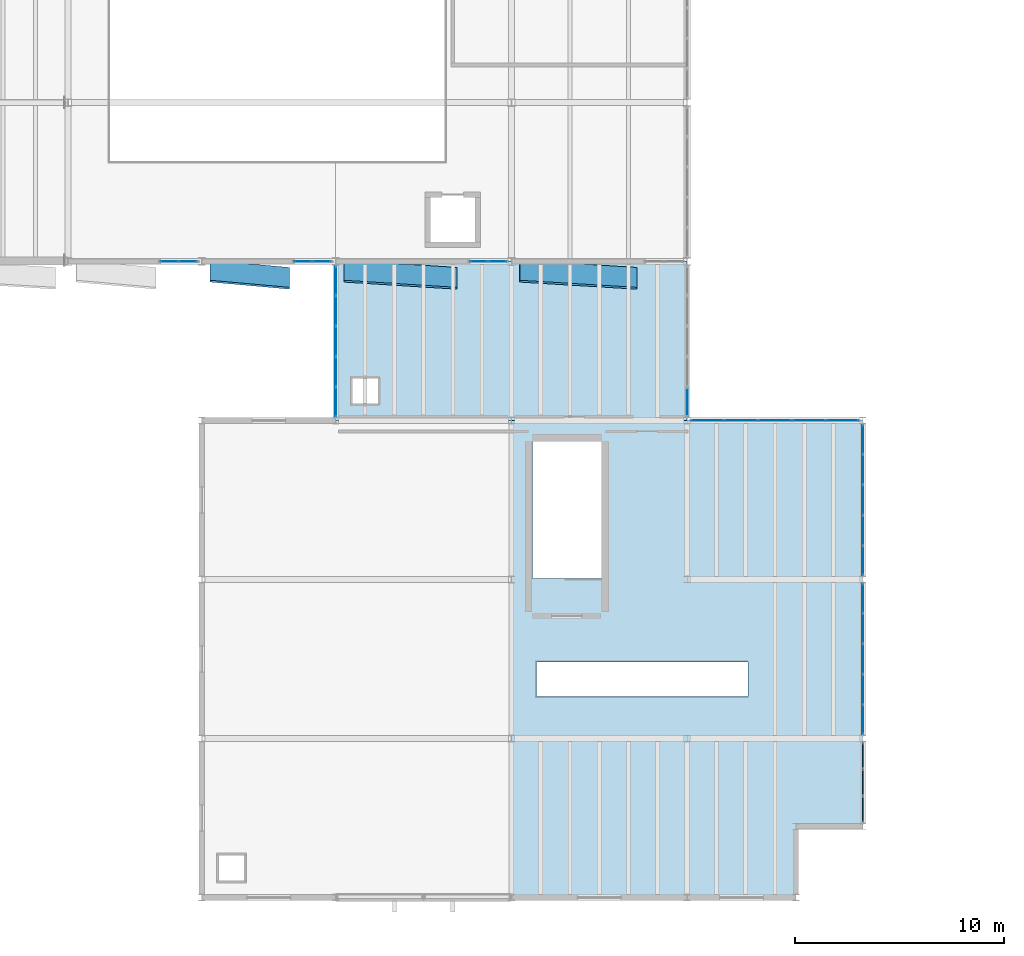
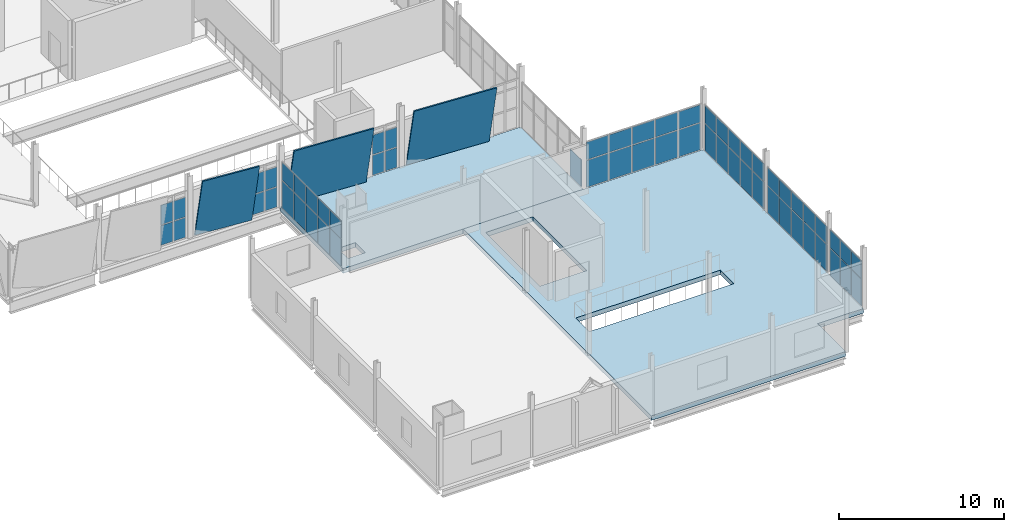
# One storey, part 97 of 136: 62 plates, 2 slabs, 9 elements without a shape of their own.
"""IFC4 building model written with IfcOpenShell, lengths in metres."""

import ifcopenshell
import ifcopenshell.guid

model = None  # the IFC model being written
_history = None  # IfcOwnerHistory: only IFC2X3 demands one
_inside = {}  # id of a spatial element -> (the spatial element, [elements in it])
_under = {}  # id of a project, library or spatial element -> (it, [spatial elements below it])
_declared = {}  # id of a project -> (the project, [libraries it declares])
_typed = {}  # id of a type object -> (the type object, [elements of that type])
_made_of = {}  # id of a material, layer set ... -> (it, [elements and type objects made of it])


def new_model(schema):
    """Start an empty IFC model of exactly this schema.

    Asked for "IFC4X3", IfcOpenShell would pick the latest addendum, in which some entities
    have other attributes; the version numbers below select the first issue.
    IFC2X3 requires an IfcOwnerHistory on every rooted entity: one is made here for all.
    """
    global model, _history
    if schema == "IFC4X3":
        model = ifcopenshell.file(schema_version=(4, 3, 0, 0))
    else:
        model = ifcopenshell.file(schema=schema)
    _inside.clear()
    _under.clear()
    _declared.clear()
    _typed.clear()
    _made_of.clear()
    _history = None
    if model.schema == "IFC2X3":
        org = make("IfcOrganization", Name="unknown")
        user = make(
            "IfcPersonAndOrganization",
            ThePerson=make("IfcPerson", FamilyName="unknown"),
            TheOrganization=org,
        )
        app = make(
            "IfcApplication",
            ApplicationDeveloper=org,
            Version="unknown",
            ApplicationFullName="unknown",
            ApplicationIdentifier="unknown",
        )
        _history = make(
            "IfcOwnerHistory",
            OwningUser=user,
            OwningApplication=app,
            ChangeAction="ADDED",
            CreationDate=0,
        )
    return model


def make(cls, **values):
    """One entity of the class cls with the attributes given. An attribute that is None is left unset."""
    return model.create_entity(
        cls, **{name: value for name, value in values.items() if value is not None}
    )


def rooted(cls, **values):
    """An entity with a GlobalId (a new one), such as an element, a storey or a relation."""
    return make(cls, GlobalId=ifcopenshell.guid.new(), OwnerHistory=_history, **values)


def si_unit(unit_type, name, prefix=None):
    """IfcSIUnit, for example si_unit("LENGTHUNIT", "METRE", prefix="MILLI")."""
    return make("IfcSIUnit", UnitType=unit_type, Prefix=prefix, Name=name)


def assignment(units):
    """IfcUnitAssignment: the units of a project."""
    return None if units is None else make("IfcUnitAssignment", Units=units)


def point(xyz):
    """IfcCartesianPoint."""
    return None if xyz is None else make("IfcCartesianPoint", Coordinates=xyz)


def direction(xyz):
    """IfcDirection."""
    return None if xyz is None else make("IfcDirection", DirectionRatios=xyz)


def frame(location, z_axis=None, x_axis=None):
    """IfcAxis2Placement3D, a coordinate frame: its origin and axes. An axis left out is left unset."""
    return make(
        "IfcAxis2Placement3D",
        Location=point(location),
        Axis=direction(z_axis),
        RefDirection=direction(x_axis),
    )


def frame_2d(location, x_axis=None):
    """IfcAxis2Placement2D, a coordinate frame in the plane: its origin and x axis."""
    return make(
        "IfcAxis2Placement2D", Location=point(location), RefDirection=direction(x_axis)
    )


def origin():
    """The frame at (0, 0, 0) with its axes left unset."""
    return frame((0.0, 0.0, 0.0))


def origin_2d():
    """The frame at (0, 0) in the plane with its x axis left unset."""
    return frame_2d((0.0, 0.0))


def place(relative_to, where):
    """IfcLocalPlacement: puts the frame where relative to a parent placement (None: the world)."""
    return make(
        "IfcLocalPlacement", PlacementRelTo=relative_to, RelativePlacement=where
    )


def context(
    kind, dimensions, precision=None, world=None, true_north=None, identifier=None
):
    """IfcGeometricRepresentationContext, for example the 3D "Model" context."""
    return make(
        "IfcGeometricRepresentationContext",
        ContextIdentifier=identifier,
        ContextType=kind,
        CoordinateSpaceDimension=dimensions,
        Precision=precision,
        WorldCoordinateSystem=world,
        TrueNorth=true_north,
    )


def subcontext(parent, identifier, kind, view, scale=None):
    """IfcGeometricRepresentationSubContext, for example "Body" below "Model"."""
    return make(
        "IfcGeometricRepresentationSubContext",
        ContextIdentifier=identifier,
        ContextType=kind,
        ParentContext=parent,
        TargetScale=scale,
        TargetView=view,
    )


def project(units=None, contexts=None):
    """IfcProject with its units and contexts."""
    return rooted(
        "IfcProject",
        Name="project",
        RepresentationContexts=contexts,
        UnitsInContext=assignment(units),
    )


def spatial(cls, under=None, at=None, **own):
    """A site, building, storey or space (cls), placed at a placement, below another one or the project."""
    s = rooted(cls, ObjectPlacement=at, **own)
    if under is not None:
        _under.setdefault(under.id(), (under, []))[1].append(s)
    return s


def polyline(points):
    """IfcPolyline through the points."""
    return make("IfcPolyline", Points=[point(p) for p in points])


def profile(cls, at=None, kind="AREA", **sizes):
    """A parametric profile (cls). Its sizes go by their IFC names, for example OverallWidth=200.0."""
    return make(cls, ProfileType=kind, Position=at, **sizes)


def rectangle(**sizes):
    """IfcRectangleProfileDef."""
    return profile("IfcRectangleProfileDef", **sizes)


def outline(outer, holes=None, kind="AREA"):
    """IfcArbitraryClosedProfileDef: a profile drawn as a closed curve; with holes, ...WithVoids."""
    if holes is None:
        return make("IfcArbitraryClosedProfileDef", ProfileType=kind, OuterCurve=outer)
    return make(
        "IfcArbitraryProfileDefWithVoids",
        ProfileType=kind,
        OuterCurve=outer,
        InnerCurves=holes,
    )


def extrude(swept, where, along, depth):
    """IfcExtrudedAreaSolid: the profile swept, set in the frame where, extruded along a direction by depth."""
    return make(
        "IfcExtrudedAreaSolid",
        SweptArea=swept,
        Position=where,
        ExtrudedDirection=direction(along),
        Depth=depth,
    )


def shape(context_of_items, identifier, shape_type, items):
    """IfcShapeRepresentation: the items that make up one representation, for example the "Body"."""
    return make(
        "IfcShapeRepresentation",
        ContextOfItems=context_of_items,
        RepresentationIdentifier=identifier,
        RepresentationType=shape_type,
        Items=items,
    )


def material(Name=None, Category=None):
    """IfcMaterial."""
    return make("IfcMaterial", Name=Name, Category=Category)


def layer(
    of_material, thickness, ventilated=None, Name=None, Category=None, Priority=None
):
    """IfcMaterialLayer: one layer of a wall or slab, of a material (None: an air gap)."""
    return make(
        "IfcMaterialLayer",
        Material=of_material,
        LayerThickness=thickness,
        IsVentilated=ventilated,
        Name=Name,
        Category=Category,
        Priority=Priority,
    )


def layer_set(layers, Name=None):
    """IfcMaterialLayerSet."""
    return make("IfcMaterialLayerSet", MaterialLayers=layers, LayerSetName=Name)


def made_of(thing, what):
    """Note that an element or type object is made of a material, layer set ...; save() writes the relation."""
    if what is not None:
        _made_of.setdefault(what.id(), (what, []))[1].append(thing)
    return thing


def type_object(cls, material=None, **own):
    """A type object (cls), such as IfcWallType, which elements share."""
    return made_of(rooted(cls, **own), material)


def element(
    cls,
    number,
    at=None,
    inside=None,
    cuts=None,
    type_object=None,
    material=None,
    context=None,
    identifier="Body",
    shape_type=None,
    held_by="IfcProductDefinitionShape",
    body=None,
    shapes=None,
    **own,
):
    """One element of the class cls, such as IfcWall. Its Tag is "e" and its number.

    at: its placement. inside: the storey or other place that contains it. cuts: it is an
    opening in that element (IfcRelVoidsElement). A single representation is given by context,
    identifier, shape_type and body (its items); several are given by shapes. held_by: the class
    of the entity that holds the representations. save() writes the other relations.
    """
    e = rooted(cls, Tag="e%d" % number, ObjectPlacement=at, **own)
    if body is not None:
        shapes = [shape(context, identifier, shape_type, body)]
    if shapes is not None:
        e.Representation = make(held_by, Representations=shapes)
    if inside is not None:
        _inside.setdefault(inside.id(), (inside, []))[1].append(e)
    if cuts is not None:
        rooted(
            "IfcRelVoidsElement", RelatingBuildingElement=cuts, RelatedOpeningElement=e
        )
    if type_object is not None:
        _typed.setdefault(type_object.id(), (type_object, []))[1].append(e)
    return made_of(e, material)


def aggregate(whole, parts):
    """IfcRelAggregates: a whole, such as a stair, and the parts it consists of."""
    return rooted("IfcRelAggregates", RelatingObject=whole, RelatedObjects=parts)


def save(model, path):
    """Write the relations noted so far, then the file.

    IfcRelAggregates (storeys below a building ...), IfcRelContainedInSpatialStructure (elements
    in a storey), IfcRelDefinesByType, IfcRelAssociatesMaterial and IfcRelDeclares: one each for
    every whole, place, type object, material and project.
    """
    for whole, parts in _under.values():
        aggregate(whole, parts)
    for where, things in _inside.values():
        rooted(
            "IfcRelContainedInSpatialStructure",
            RelatedElements=things,
            RelatingStructure=where,
        )
    for kind, things in _typed.values():
        rooted("IfcRelDefinesByType", RelatedObjects=things, RelatingType=kind)
    for what, things in _made_of.values():
        rooted("IfcRelAssociatesMaterial", RelatedObjects=things, RelatingMaterial=what)
    for by, libraries in _declared.values():
        rooted("IfcRelDeclares", RelatingContext=by, RelatedDefinitions=libraries)
    model.write(path)


model = new_model("IFC4")

# Units and contexts
model_context = context("Model", 3, precision=1e-05, world=origin(), true_north=direction((0.0, 1.0)))
body_context = subcontext(model_context, "Body", "Model", "MODEL_VIEW")
ifc_project = project(units=[si_unit("LENGTHUNIT", "METRE"), si_unit("AREAUNIT", "SQUARE_METRE"), si_unit("VOLUMEUNIT", "CUBIC_METRE"), si_unit("PLANEANGLEUNIT", "RADIAN"), si_unit("MASSUNIT", "GRAM", prefix="KILO")], contexts=[model_context])

# Site, building, storey
site_placement = place(None, origin())
site = spatial("IfcSite", under=ifc_project, at=site_placement, CompositionType="ELEMENT")
building_placement = place(site_placement, origin())
building = spatial("IfcBuilding", under=site, at=building_placement, Name="Shengluoqiao Park Theatre", CompositionType="ELEMENT")
storey_placement = place(building_placement, frame((0.0, 0.0, 10.0)))
storey = spatial("IfcBuildingStorey", under=building, at=storey_placement, Name="L02", CompositionType="ELEMENT", Elevation=10.0)

# Plates
ifc_material_1 = material(Name="Precast concrete C45", Category="concrete")
ifc_layer_1 = layer(ifc_material_1, 0.090087890625, Name="Precast concrete C45")
ifc_layer_set_1 = layer_set([ifc_layer_1], Name="Precast concrete C45")
plate_type_1 = type_object("IfcPlateType", Name="ENV-CRYS-CP-090", PredefinedType="USERDEFINED", material=ifc_layer_set_1)
plate_1_placement = place(storey_placement, frame((13.199951171875, 30.4599609375, 0.0), z_axis=(0.087208010068, 0.97513841718, 0.203715071412), x_axis=(0.996024839962, -0.089075912446, 0.0)))
element("IfcPlate", 1, at=plate_1_placement, inside=storey, type_object=plate_type_1, Name="V3 South L02 Tilted White Precast Crystal Panel 038", ObjectType="FACADE PANEL", PredefinedType="USERDEFINED", context=body_context, shape_type="SweptSolid", body=[
    extrude(outline(polyline([(0.0, 0.0), (3.815214918002425, 0.0), (3.9000719029549797, -4.657730175573587), (0.08485698495255505, -4.657730175573587), (0.0, 0.0)])), origin(), (0.0, 0.0, -1.0), 0.090087890625),
])
plate_2_placement = place(storey_placement, frame((19.60009765625, 30.4599609375, 0.0), z_axis=(0.061488635908, 0.977015552451, 0.204107221633), x_axis=(0.998025446174, -0.062810897056, 0.0)))
element("IfcPlate", 2, at=plate_2_placement, inside=storey, type_object=plate_type_1, Name="V3 South L02 Tilted White Precast Crystal Panel 039", ObjectType="FACADE PANEL", PredefinedType="USERDEFINED", context=body_context, shape_type="SweptSolid", body=[
    extrude(outline(polyline([(0.0, 0.0), (5.410585836714063, -2.7755575615628914e-17), (5.470421803586794, -4.6581187998388796), (0.05983596687273195, -4.6581187998388796), (0.0, 0.0)])), origin(), (0.0, 0.0, -1.0), 0.090087890625),
])
plate_3_placement = place(storey_placement, frame((28.0, 30.4599609375, 0.0), z_axis=(0.059298379006, 0.977145271296, 0.204134321051), x_axis=(0.998163715946, -0.060573890165, 0.0)))
element("IfcPlate", 3, at=plate_3_placement, inside=storey, type_object=plate_type_1, Name="V3 South L02 Tilted White Precast Crystal Panel 040", ObjectType="FACADE PANEL", PredefinedType="USERDEFINED", context=body_context, shape_type="SweptSolid", body=[
    extrude(outline(polyline([(0.0, 0.0), (5.610399944206367, 1.3877787807814457e-17), (5.668104856174723, -4.658145686802714), (0.05770491196835556, -4.658145686802714), (0.0, 0.0)])), origin(), (0.0, 0.0, -1.0), 0.090087890625),
])

# Curtain wall, plates
ifc_material_2 = material(Name="Aluminium 6063-T6", Category="aluminium")
curtain_wall_type_1 = type_object("IfcCurtainWallType", Name="ENV-CW-STUDIO", PredefinedType="NOTDEFINED", material=ifc_material_2)
curtain_wall_1_placement = place(storey_placement, origin())
curtain_wall_1 = element("IfcCurtainWall", 4, at=curtain_wall_1_placement, inside=storey, type_object=curtain_wall_type_1, Name="L02 Curtain Wall CWX-L02-0023", PredefinedType="NOTDEFINED")
ifc_material_3 = material(Name="Insulated glass", Category="glass")
ifc_layer_2 = layer(ifc_material_3, 0.0380859375, Name="Insulated glass")
ifc_layer_set_2 = layer_set([ifc_layer_2], Name="Insulated glass")
plate_type_2 = type_object("IfcPlateType", Name="ENV-GLZ-GL-38", PredefinedType="CURTAIN_PANEL", material=ifc_layer_set_2)
plate_4_placement = place(storey_placement, frame((11.245849609375, 30.39990234375, 0.06005859375), z_axis=(0.0, 0.0, 1.0), x_axis=(1.0, 0.0, 0.0)))
plate_4 = element("IfcPlate", 5, at=plate_4_placement, type_object=plate_type_2, Name="CW-02 panel 1.1", PredefinedType="CURTAIN_PANEL", context=body_context, shape_type="SweptSolid", body=[
    extrude(rectangle(XDim=0.83740234375, YDim=0.0380859375, at=origin_2d()), origin(), (0.0, 0.0, 1.0), 1.4599609375),
])
plate_5_placement = place(storey_placement, frame((11.245849609375, 30.39990234375, 1.580078125), z_axis=(0.0, 0.0, 1.0), x_axis=(1.0, 0.0, 0.0)))
plate_5 = element("IfcPlate", 6, at=plate_5_placement, type_object=plate_type_2, Name="CW-02 panel 1.2", PredefinedType="CURTAIN_PANEL", context=body_context, shape_type="SweptSolid", body=[
    extrude(rectangle(XDim=0.83740234375, YDim=0.0380859375, at=origin_2d()), origin(), (0.0, 0.0, 1.0), 1.43994140625),
])
plate_6_placement = place(storey_placement, frame((12.143310546875, 30.39990234375, 0.06005859375), z_axis=(0.0, 0.0, 1.0), x_axis=(1.0, 0.0, 0.0)))
plate_6 = element("IfcPlate", 7, at=plate_6_placement, type_object=plate_type_2, Name="CW-02 panel 2.1", PredefinedType="CURTAIN_PANEL", context=body_context, shape_type="SweptSolid", body=[
    extrude(rectangle(XDim=0.83740234375, YDim=0.0380859375, at=origin_2d()), origin(), (0.0, 0.0, 1.0), 1.4599609375),
])
plate_7_placement = place(storey_placement, frame((12.143310546875, 30.39990234375, 1.580078125), z_axis=(0.0, 0.0, 1.0), x_axis=(1.0, 0.0, 0.0)))
plate_7 = element("IfcPlate", 8, at=plate_7_placement, type_object=plate_type_2, Name="CW-02 panel 2.2", PredefinedType="CURTAIN_PANEL", context=body_context, shape_type="SweptSolid", body=[
    extrude(rectangle(XDim=0.83740234375, YDim=0.0380859375, at=origin_2d()), origin(), (0.0, 0.0, 1.0), 1.43994140625),
])
aggregate(curtain_wall_1, [plate_4, plate_5, plate_6, plate_7])

curtain_wall_2_placement = place(storey_placement, origin())
curtain_wall_2 = element("IfcCurtainWall", 9, at=curtain_wall_2_placement, inside=storey, type_object=curtain_wall_type_1, Name="L02 Curtain Wall CWX-L02-0024", PredefinedType="NOTDEFINED")
plate_8_placement = place(storey_placement, frame((17.645751953125, 30.39990234375, 0.06005859375), z_axis=(0.0, 0.0, 1.0), x_axis=(1.0, 0.0, 0.0)))
plate_8 = element("IfcPlate", 10, at=plate_8_placement, type_object=plate_type_2, Name="CW-02 panel 1.1", PredefinedType="CURTAIN_PANEL", context=body_context, shape_type="SweptSolid", body=[
    extrude(rectangle(XDim=0.83740234375, YDim=0.0380859375, at=origin_2d()), origin(), (0.0, 0.0, 1.0), 1.4599609375),
])
plate_9_placement = place(storey_placement, frame((17.645751953125, 30.39990234375, 1.580078125), z_axis=(0.0, 0.0, 1.0), x_axis=(1.0, 0.0, 0.0)))
plate_9 = element("IfcPlate", 11, at=plate_9_placement, type_object=plate_type_2, Name="CW-02 panel 1.2", PredefinedType="CURTAIN_PANEL", context=body_context, shape_type="SweptSolid", body=[
    extrude(rectangle(XDim=0.83740234375, YDim=0.0380859375, at=origin_2d()), origin(), (0.0, 0.0, 1.0), 1.43994140625),
])
plate_10_placement = place(storey_placement, frame((18.543212890625, 30.39990234375, 0.06005859375), z_axis=(0.0, 0.0, 1.0), x_axis=(1.0, 0.0, 0.0)))
plate_10 = element("IfcPlate", 12, at=plate_10_placement, type_object=plate_type_2, Name="CW-02 panel 2.1", PredefinedType="CURTAIN_PANEL", context=body_context, shape_type="SweptSolid", body=[
    extrude(rectangle(XDim=0.83740234375, YDim=0.0380859375, at=origin_2d()), origin(), (0.0, 0.0, 1.0), 1.4599609375),
])
plate_11_placement = place(storey_placement, frame((18.543212890625, 30.39990234375, 1.580078125), z_axis=(0.0, 0.0, 1.0), x_axis=(1.0, 0.0, 0.0)))
plate_11 = element("IfcPlate", 13, at=plate_11_placement, type_object=plate_type_2, Name="CW-02 panel 2.2", PredefinedType="CURTAIN_PANEL", context=body_context, shape_type="SweptSolid", body=[
    extrude(rectangle(XDim=0.83740234375, YDim=0.0380859375, at=origin_2d()), origin(), (0.0, 0.0, 1.0), 1.43994140625),
])
aggregate(curtain_wall_2, [plate_8, plate_9, plate_10, plate_11])

curtain_wall_3_placement = place(storey_placement, origin())
curtain_wall_3 = element("IfcCurtainWall", 14, at=curtain_wall_3_placement, inside=storey, type_object=curtain_wall_type_1, Name="L02 Curtain Wall CWX-L02-0025", PredefinedType="NOTDEFINED")
plate_12_placement = place(storey_placement, frame((26.045654296875, 30.39990234375, 0.06005859375), z_axis=(0.0, 0.0, 1.0), x_axis=(1.0, 0.0, 0.0)))
plate_12 = element("IfcPlate", 15, at=plate_12_placement, type_object=plate_type_2, Name="CW-02 panel 1.1", PredefinedType="CURTAIN_PANEL", context=body_context, shape_type="SweptSolid", body=[
    extrude(rectangle(XDim=0.83740234375, YDim=0.0380859375, at=origin_2d()), origin(), (0.0, 0.0, 1.0), 1.4599609375),
])
plate_13_placement = place(storey_placement, frame((26.045654296875, 30.39990234375, 1.580078125), z_axis=(0.0, 0.0, 1.0), x_axis=(1.0, 0.0, 0.0)))
plate_13 = element("IfcPlate", 16, at=plate_13_placement, type_object=plate_type_2, Name="CW-02 panel 1.2", PredefinedType="CURTAIN_PANEL", context=body_context, shape_type="SweptSolid", body=[
    extrude(rectangle(XDim=0.83740234375, YDim=0.0380859375, at=origin_2d()), origin(), (0.0, 0.0, 1.0), 1.43994140625),
])
plate_14_placement = place(storey_placement, frame((26.943359375, 30.39990234375, 0.06005859375), z_axis=(0.0, 0.0, 1.0), x_axis=(1.0, 0.0, 0.0)))
plate_14 = element("IfcPlate", 17, at=plate_14_placement, type_object=plate_type_2, Name="CW-02 panel 2.1", PredefinedType="CURTAIN_PANEL", context=body_context, shape_type="SweptSolid", body=[
    extrude(rectangle(XDim=0.83740234375, YDim=0.0380859375, at=origin_2d()), origin(), (0.0, 0.0, 1.0), 1.4599609375),
])
plate_15_placement = place(storey_placement, frame((26.943359375, 30.39990234375, 1.580078125), z_axis=(0.0, 0.0, 1.0), x_axis=(1.0, 0.0, 0.0)))
plate_15 = element("IfcPlate", 18, at=plate_15_placement, type_object=plate_type_2, Name="CW-02 panel 2.2", PredefinedType="CURTAIN_PANEL", context=body_context, shape_type="SweptSolid", body=[
    extrude(rectangle(XDim=0.83740234375, YDim=0.0380859375, at=origin_2d()), origin(), (0.0, 0.0, 1.0), 1.43994140625),
])
aggregate(curtain_wall_3, [plate_12, plate_13, plate_14, plate_15])

curtain_wall_type_2 = type_object("IfcCurtainWallType", Name="ENV-CW-COURT", PredefinedType="NOTDEFINED", material=ifc_material_2)
curtain_wall_4_placement = place(storey_placement, origin())
curtain_wall_4 = element("IfcCurtainWall", 19, at=curtain_wall_4_placement, inside=storey, type_object=curtain_wall_type_2, Name="L02 Curtain Wall CWX-L02-0162", PredefinedType="NOTDEFINED")
plate_16_placement = place(storey_placement, frame((44.39990234375, 8.498291015625, 0.06005859375), z_axis=(0.0, 0.0, 1.0), x_axis=(0.0, 1.0, 0.0)))
plate_16 = element("IfcPlate", 20, at=plate_16_placement, type_object=plate_type_2, Name="CW-05 panel 1.1", PredefinedType="CURTAIN_PANEL", context=body_context, shape_type="SweptSolid", body=[
    extrude(rectangle(XDim=1.368408203125, YDim=0.0380859375, at=origin_2d()), origin(), (0.0, 0.0, 1.0), 1.985107421875),
])
plate_17_placement = place(storey_placement, frame((44.39990234375, 8.498291015625, 2.10498046875), z_axis=(0.0, 0.0, 1.0), x_axis=(0.0, 1.0, 0.0)))
plate_17 = element("IfcPlate", 21, at=plate_17_placement, type_object=plate_type_2, Name="CW-05 panel 1.2", PredefinedType="CURTAIN_PANEL", context=body_context, shape_type="SweptSolid", body=[
    extrude(rectangle(XDim=1.368408203125, YDim=0.0380859375, at=origin_2d()), origin(), (0.0, 0.0, 1.0), 1.29296875),
])
plate_18_placement = place(storey_placement, frame((44.39990234375, 9.941650390625, 0.06005859375), z_axis=(0.0, 0.0, 1.0), x_axis=(0.0, 1.0, 0.0)))
plate_18 = element("IfcPlate", 22, at=plate_18_placement, type_object=plate_type_2, Name="CW-05 panel 2.1", PredefinedType="CURTAIN_PANEL", context=body_context, shape_type="SweptSolid", body=[
    extrude(rectangle(XDim=1.3984375, YDim=0.0380859375, at=origin_2d()), origin(), (0.0, 0.0, 1.0), 1.985107421875),
])
plate_19_placement = place(storey_placement, frame((44.39990234375, 9.941650390625, 2.10498046875), z_axis=(0.0, 0.0, 1.0), x_axis=(0.0, 1.0, 0.0)))
plate_19 = element("IfcPlate", 23, at=plate_19_placement, type_object=plate_type_2, Name="CW-05 panel 2.2", PredefinedType="CURTAIN_PANEL", context=body_context, shape_type="SweptSolid", body=[
    extrude(rectangle(XDim=1.3984375, YDim=0.0380859375, at=origin_2d()), origin(), (0.0, 0.0, 1.0), 1.29296875),
])
plate_20_placement = place(storey_placement, frame((44.39990234375, 11.39990234375, 0.06005859375), z_axis=(0.0, 0.0, 1.0), x_axis=(0.0, 1.0, 0.0)))
plate_20 = element("IfcPlate", 24, at=plate_20_placement, type_object=plate_type_2, Name="CW-05 panel 3.1", PredefinedType="CURTAIN_PANEL", context=body_context, shape_type="SweptSolid", body=[
    extrude(rectangle(XDim=1.3984375, YDim=0.0380859375, at=origin_2d()), origin(), (0.0, 0.0, 1.0), 1.985107421875),
])
plate_21_placement = place(storey_placement, frame((44.39990234375, 11.39990234375, 2.10498046875), z_axis=(0.0, 0.0, 1.0), x_axis=(0.0, 1.0, 0.0)))
plate_21 = element("IfcPlate", 25, at=plate_21_placement, type_object=plate_type_2, Name="CW-05 panel 3.2", PredefinedType="CURTAIN_PANEL", context=body_context, shape_type="SweptSolid", body=[
    extrude(rectangle(XDim=1.3984375, YDim=0.0380859375, at=origin_2d()), origin(), (0.0, 0.0, 1.0), 1.29296875),
])
plate_22_placement = place(storey_placement, frame((44.39990234375, 12.8583984375, 0.06005859375), z_axis=(0.0, 0.0, 1.0), x_axis=(0.0, 1.0, 0.0)))
plate_22 = element("IfcPlate", 26, at=plate_22_placement, type_object=plate_type_2, Name="CW-05 panel 4.1", PredefinedType="CURTAIN_PANEL", context=body_context, shape_type="SweptSolid", body=[
    extrude(rectangle(XDim=1.3984375, YDim=0.0380859375, at=origin_2d()), origin(), (0.0, 0.0, 1.0), 1.985107421875),
])
plate_23_placement = place(storey_placement, frame((44.39990234375, 12.8583984375, 2.10498046875), z_axis=(0.0, 0.0, 1.0), x_axis=(0.0, 1.0, 0.0)))
plate_23 = element("IfcPlate", 27, at=plate_23_placement, type_object=plate_type_2, Name="CW-05 panel 4.2", PredefinedType="CURTAIN_PANEL", context=body_context, shape_type="SweptSolid", body=[
    extrude(rectangle(XDim=1.3984375, YDim=0.0380859375, at=origin_2d()), origin(), (0.0, 0.0, 1.0), 1.29296875),
])
plate_24_placement = place(storey_placement, frame((44.39990234375, 14.3017578125, 0.06005859375), z_axis=(0.0, 0.0, 1.0), x_axis=(0.0, 1.0, 0.0)))
plate_24 = element("IfcPlate", 28, at=plate_24_placement, type_object=plate_type_2, Name="CW-05 panel 5.1", PredefinedType="CURTAIN_PANEL", context=body_context, shape_type="SweptSolid", body=[
    extrude(rectangle(XDim=1.368408203125, YDim=0.0380859375, at=origin_2d()), origin(), (0.0, 0.0, 1.0), 1.985107421875),
])
plate_25_placement = place(storey_placement, frame((44.39990234375, 14.3017578125, 2.10498046875), z_axis=(0.0, 0.0, 1.0), x_axis=(0.0, 1.0, 0.0)))
plate_25 = element("IfcPlate", 29, at=plate_25_placement, type_object=plate_type_2, Name="CW-05 panel 5.2", PredefinedType="CURTAIN_PANEL", context=body_context, shape_type="SweptSolid", body=[
    extrude(rectangle(XDim=1.368408203125, YDim=0.0380859375, at=origin_2d()), origin(), (0.0, 0.0, 1.0), 1.29296875),
])
aggregate(curtain_wall_4, [plate_16, plate_17, plate_18, plate_19, plate_20, plate_21, plate_22, plate_23, plate_24, plate_25])

curtain_wall_5_placement = place(storey_placement, origin())
curtain_wall_5 = element("IfcCurtainWall", 30, at=curtain_wall_5_placement, inside=storey, type_object=curtain_wall_type_2, Name="L02 Curtain Wall CWX-L02-0163", PredefinedType="NOTDEFINED")
plate_26_placement = place(storey_placement, frame((44.39990234375, 16.09814453125, 0.06005859375), z_axis=(0.0, 0.0, 1.0), x_axis=(0.0, 1.0, 0.0)))
plate_26 = element("IfcPlate", 31, at=plate_26_placement, type_object=plate_type_2, Name="CW-05 panel 1.1", PredefinedType="CURTAIN_PANEL", context=body_context, shape_type="SweptSolid", body=[
    extrude(rectangle(XDim=1.368408203125, YDim=0.0380859375, at=origin_2d()), origin(), (0.0, 0.0, 1.0), 1.985107421875),
])
plate_27_placement = place(storey_placement, frame((44.39990234375, 16.09814453125, 2.10498046875), z_axis=(0.0, 0.0, 1.0), x_axis=(0.0, 1.0, 0.0)))
plate_27 = element("IfcPlate", 32, at=plate_27_placement, type_object=plate_type_2, Name="CW-05 panel 1.2", PredefinedType="CURTAIN_PANEL", context=body_context, shape_type="SweptSolid", body=[
    extrude(rectangle(XDim=1.368408203125, YDim=0.0380859375, at=origin_2d()), origin(), (0.0, 0.0, 1.0), 1.29296875),
])
plate_28_placement = place(storey_placement, frame((44.39990234375, 17.54150390625, 0.06005859375), z_axis=(0.0, 0.0, 1.0), x_axis=(0.0, 1.0, 0.0)))
plate_28 = element("IfcPlate", 33, at=plate_28_placement, type_object=plate_type_2, Name="CW-05 panel 2.1", PredefinedType="CURTAIN_PANEL", context=body_context, shape_type="SweptSolid", body=[
    extrude(rectangle(XDim=1.3984375, YDim=0.0380859375, at=origin_2d()), origin(), (0.0, 0.0, 1.0), 1.985107421875),
])
plate_29_placement = place(storey_placement, frame((44.39990234375, 17.54150390625, 2.10498046875), z_axis=(0.0, 0.0, 1.0), x_axis=(0.0, 1.0, 0.0)))
plate_29 = element("IfcPlate", 34, at=plate_29_placement, type_object=plate_type_2, Name="CW-05 panel 2.2", PredefinedType="CURTAIN_PANEL", context=body_context, shape_type="SweptSolid", body=[
    extrude(rectangle(XDim=1.3984375, YDim=0.0380859375, at=origin_2d()), origin(), (0.0, 0.0, 1.0), 1.29296875),
])
plate_30_placement = place(storey_placement, frame((44.39990234375, 19.0, 0.06005859375), z_axis=(0.0, 0.0, 1.0), x_axis=(0.0, 1.0, 0.0)))
plate_30 = element("IfcPlate", 35, at=plate_30_placement, type_object=plate_type_2, Name="CW-05 panel 3.1", PredefinedType="CURTAIN_PANEL", context=body_context, shape_type="SweptSolid", body=[
    extrude(rectangle(XDim=1.3984375, YDim=0.0380859375, at=origin_2d()), origin(), (0.0, 0.0, 1.0), 1.985107421875),
])
plate_31_placement = place(storey_placement, frame((44.39990234375, 19.0, 2.10498046875), z_axis=(0.0, 0.0, 1.0), x_axis=(0.0, 1.0, 0.0)))
plate_31 = element("IfcPlate", 36, at=plate_31_placement, type_object=plate_type_2, Name="CW-05 panel 3.2", PredefinedType="CURTAIN_PANEL", context=body_context, shape_type="SweptSolid", body=[
    extrude(rectangle(XDim=1.3984375, YDim=0.0380859375, at=origin_2d()), origin(), (0.0, 0.0, 1.0), 1.29296875),
])
plate_32_placement = place(storey_placement, frame((44.39990234375, 20.45849609375, 0.06005859375), z_axis=(0.0, 0.0, 1.0), x_axis=(0.0, 1.0, 0.0)))
plate_32 = element("IfcPlate", 37, at=plate_32_placement, type_object=plate_type_2, Name="CW-05 panel 4.1", PredefinedType="CURTAIN_PANEL", context=body_context, shape_type="SweptSolid", body=[
    extrude(rectangle(XDim=1.3984375, YDim=0.0380859375, at=origin_2d()), origin(), (0.0, 0.0, 1.0), 1.985107421875),
])
plate_33_placement = place(storey_placement, frame((44.39990234375, 20.45849609375, 2.10498046875), z_axis=(0.0, 0.0, 1.0), x_axis=(0.0, 1.0, 0.0)))
plate_33 = element("IfcPlate", 38, at=plate_33_placement, type_object=plate_type_2, Name="CW-05 panel 4.2", PredefinedType="CURTAIN_PANEL", context=body_context, shape_type="SweptSolid", body=[
    extrude(rectangle(XDim=1.3984375, YDim=0.0380859375, at=origin_2d()), origin(), (0.0, 0.0, 1.0), 1.29296875),
])
plate_34_placement = place(storey_placement, frame((44.39990234375, 21.90185546875, 0.06005859375), z_axis=(0.0, 0.0, 1.0), x_axis=(0.0, 1.0, 0.0)))
plate_34 = element("IfcPlate", 39, at=plate_34_placement, type_object=plate_type_2, Name="CW-05 panel 5.1", PredefinedType="CURTAIN_PANEL", context=body_context, shape_type="SweptSolid", body=[
    extrude(rectangle(XDim=1.368408203125, YDim=0.0380859375, at=origin_2d()), origin(), (0.0, 0.0, 1.0), 1.985107421875),
])
plate_35_placement = place(storey_placement, frame((44.39990234375, 21.90185546875, 2.10498046875), z_axis=(0.0, 0.0, 1.0), x_axis=(0.0, 1.0, 0.0)))
plate_35 = element("IfcPlate", 40, at=plate_35_placement, type_object=plate_type_2, Name="CW-05 panel 5.2", PredefinedType="CURTAIN_PANEL", context=body_context, shape_type="SweptSolid", body=[
    extrude(rectangle(XDim=1.368408203125, YDim=0.0380859375, at=origin_2d()), origin(), (0.0, 0.0, 1.0), 1.29296875),
])
aggregate(curtain_wall_5, [plate_26, plate_27, plate_28, plate_29, plate_30, plate_31, plate_32, plate_33, plate_34, plate_35])

curtain_wall_6_placement = place(storey_placement, origin())
curtain_wall_6 = element("IfcCurtainWall", 41, at=curtain_wall_6_placement, inside=storey, type_object=curtain_wall_type_2, Name="L02 Curtain Wall CWX-L02-0164", PredefinedType="NOTDEFINED")
plate_36_placement = place(storey_placement, frame((36.978271484375, 22.800048828125, 0.06005859375), z_axis=(0.0, 0.0, 1.0), x_axis=(1.0, 0.0, 0.0)))
plate_36 = element("IfcPlate", 42, at=plate_36_placement, type_object=plate_type_2, Name="CW-05 panel 1.1", PredefinedType="CURTAIN_PANEL", context=body_context, shape_type="SweptSolid", body=[
    extrude(rectangle(XDim=1.5283203125, YDim=0.0380859375, at=origin_2d()), origin(), (0.0, 0.0, 1.0), 1.985107421875),
])
plate_37_placement = place(storey_placement, frame((36.978271484375, 22.800048828125, 2.10498046875), z_axis=(0.0, 0.0, 1.0), x_axis=(1.0, 0.0, 0.0)))
plate_37 = element("IfcPlate", 43, at=plate_37_placement, type_object=plate_type_2, Name="CW-05 panel 1.2", PredefinedType="CURTAIN_PANEL", context=body_context, shape_type="SweptSolid", body=[
    extrude(rectangle(XDim=1.5283203125, YDim=0.0380859375, at=origin_2d()), origin(), (0.0, 0.0, 1.0), 1.29296875),
])
plate_38_placement = place(storey_placement, frame((38.58154296875, 22.800048828125, 0.06005859375), z_axis=(0.0, 0.0, 1.0), x_axis=(1.0, 0.0, 0.0)))
plate_38 = element("IfcPlate", 44, at=plate_38_placement, type_object=plate_type_2, Name="CW-05 panel 2.1", PredefinedType="CURTAIN_PANEL", context=body_context, shape_type="SweptSolid", body=[
    extrude(rectangle(XDim=1.558349609375, YDim=0.0380859375, at=origin_2d()), origin(), (0.0, 0.0, 1.0), 1.985107421875),
])
plate_39_placement = place(storey_placement, frame((38.58154296875, 22.800048828125, 2.10498046875), z_axis=(0.0, 0.0, 1.0), x_axis=(1.0, 0.0, 0.0)))
plate_39 = element("IfcPlate", 45, at=plate_39_placement, type_object=plate_type_2, Name="CW-05 panel 2.2", PredefinedType="CURTAIN_PANEL", context=body_context, shape_type="SweptSolid", body=[
    extrude(rectangle(XDim=1.558349609375, YDim=0.0380859375, at=origin_2d()), origin(), (0.0, 0.0, 1.0), 1.29296875),
])
plate_40_placement = place(storey_placement, frame((40.199951171875, 22.800048828125, 0.06005859375), z_axis=(0.0, 0.0, 1.0), x_axis=(1.0, 0.0, 0.0)))
plate_40 = element("IfcPlate", 46, at=plate_40_placement, type_object=plate_type_2, Name="CW-05 panel 3.1", PredefinedType="CURTAIN_PANEL", context=body_context, shape_type="SweptSolid", body=[
    extrude(rectangle(XDim=1.558349609375, YDim=0.0380859375, at=origin_2d()), origin(), (0.0, 0.0, 1.0), 1.985107421875),
])
plate_41_placement = place(storey_placement, frame((40.199951171875, 22.800048828125, 2.10498046875), z_axis=(0.0, 0.0, 1.0), x_axis=(1.0, 0.0, 0.0)))
plate_41 = element("IfcPlate", 47, at=plate_41_placement, type_object=plate_type_2, Name="CW-05 panel 3.2", PredefinedType="CURTAIN_PANEL", context=body_context, shape_type="SweptSolid", body=[
    extrude(rectangle(XDim=1.558349609375, YDim=0.0380859375, at=origin_2d()), origin(), (0.0, 0.0, 1.0), 1.29296875),
])
plate_42_placement = place(storey_placement, frame((41.818359375, 22.800048828125, 0.06005859375), z_axis=(0.0, 0.0, 1.0), x_axis=(1.0, 0.0, 0.0)))
plate_42 = element("IfcPlate", 48, at=plate_42_placement, type_object=plate_type_2, Name="CW-05 panel 4.1", PredefinedType="CURTAIN_PANEL", context=body_context, shape_type="SweptSolid", body=[
    extrude(rectangle(XDim=1.558349609375, YDim=0.0380859375, at=origin_2d()), origin(), (0.0, 0.0, 1.0), 1.985107421875),
])
plate_43_placement = place(storey_placement, frame((41.818359375, 22.800048828125, 2.10498046875), z_axis=(0.0, 0.0, 1.0), x_axis=(1.0, 0.0, 0.0)))
plate_43 = element("IfcPlate", 49, at=plate_43_placement, type_object=plate_type_2, Name="CW-05 panel 4.2", PredefinedType="CURTAIN_PANEL", context=body_context, shape_type="SweptSolid", body=[
    extrude(rectangle(XDim=1.558349609375, YDim=0.0380859375, at=origin_2d()), origin(), (0.0, 0.0, 1.0), 1.29296875),
])
plate_44_placement = place(storey_placement, frame((43.421875, 22.800048828125, 0.06005859375), z_axis=(0.0, 0.0, 1.0), x_axis=(1.0, 0.0, 0.0)))
plate_44 = element("IfcPlate", 50, at=plate_44_placement, type_object=plate_type_2, Name="CW-05 panel 5.1", PredefinedType="CURTAIN_PANEL", context=body_context, shape_type="SweptSolid", body=[
    extrude(rectangle(XDim=1.5283203125, YDim=0.0380859375, at=origin_2d()), origin(), (0.0, 0.0, 1.0), 1.985107421875),
])
plate_45_placement = place(storey_placement, frame((43.421875, 22.800048828125, 2.10498046875), z_axis=(0.0, 0.0, 1.0), x_axis=(1.0, 0.0, 0.0)))
plate_45 = element("IfcPlate", 51, at=plate_45_placement, type_object=plate_type_2, Name="CW-05 panel 5.2", PredefinedType="CURTAIN_PANEL", context=body_context, shape_type="SweptSolid", body=[
    extrude(rectangle(XDim=1.5283203125, YDim=0.0380859375, at=origin_2d()), origin(), (0.0, 0.0, 1.0), 1.29296875),
])
aggregate(curtain_wall_6, [plate_36, plate_37, plate_38, plate_39, plate_40, plate_41, plate_42, plate_43, plate_44, plate_45])

curtain_wall_7_placement = place(storey_placement, origin())
curtain_wall_7 = element("IfcCurtainWall", 52, at=curtain_wall_7_placement, inside=storey, type_object=curtain_wall_type_2, Name="L02 Curtain Wall CWX-L02-0165", PredefinedType="NOTDEFINED")
plate_46_placement = place(storey_placement, frame((19.199951171875, 23.696044921875, 0.06005859375), z_axis=(0.0, 0.0, 1.0), x_axis=(0.0, 1.0, 0.0)))
plate_46 = element("IfcPlate", 53, at=plate_46_placement, type_object=plate_type_2, Name="CW-05 panel 1.1", PredefinedType="CURTAIN_PANEL", context=body_context, shape_type="SweptSolid", body=[
    extrude(rectangle(XDim=1.364013671875, YDim=0.0380859375, at=origin_2d()), origin(), (0.0, 0.0, 1.0), 1.985107421875),
])
plate_47_placement = place(storey_placement, frame((19.199951171875, 23.696044921875, 2.10498046875), z_axis=(0.0, 0.0, 1.0), x_axis=(0.0, 1.0, 0.0)))
plate_47 = element("IfcPlate", 54, at=plate_47_placement, type_object=plate_type_2, Name="CW-05 panel 1.2", PredefinedType="CURTAIN_PANEL", context=body_context, shape_type="SweptSolid", body=[
    extrude(rectangle(XDim=1.364013671875, YDim=0.0380859375, at=origin_2d()), origin(), (0.0, 0.0, 1.0), 1.29296875),
])
plate_48_placement = place(storey_placement, frame((19.199951171875, 25.135009765625, 0.06005859375), z_axis=(0.0, 0.0, 1.0), x_axis=(0.0, 1.0, 0.0)))
plate_48 = element("IfcPlate", 55, at=plate_48_placement, type_object=plate_type_2, Name="CW-05 panel 2.1", PredefinedType="CURTAIN_PANEL", context=body_context, shape_type="SweptSolid", body=[
    extrude(rectangle(XDim=1.39404296875, YDim=0.0380859375, at=origin_2d()), origin(), (0.0, 0.0, 1.0), 1.985107421875),
])
plate_49_placement = place(storey_placement, frame((19.199951171875, 25.135009765625, 2.10498046875), z_axis=(0.0, 0.0, 1.0), x_axis=(0.0, 1.0, 0.0)))
plate_49 = element("IfcPlate", 56, at=plate_49_placement, type_object=plate_type_2, Name="CW-05 panel 2.2", PredefinedType="CURTAIN_PANEL", context=body_context, shape_type="SweptSolid", body=[
    extrude(rectangle(XDim=1.39404296875, YDim=0.0380859375, at=origin_2d()), origin(), (0.0, 0.0, 1.0), 1.29296875),
])
plate_50_placement = place(storey_placement, frame((19.199951171875, 26.589111328125, 0.06005859375), z_axis=(0.0, 0.0, 1.0), x_axis=(0.0, 1.0, 0.0)))
plate_50 = element("IfcPlate", 57, at=plate_50_placement, type_object=plate_type_2, Name="CW-05 panel 3.1", PredefinedType="CURTAIN_PANEL", context=body_context, shape_type="SweptSolid", body=[
    extrude(rectangle(XDim=1.39404296875, YDim=0.0380859375, at=origin_2d()), origin(), (0.0, 0.0, 1.0), 1.985107421875),
])
plate_51_placement = place(storey_placement, frame((19.199951171875, 26.589111328125, 2.10498046875), z_axis=(0.0, 0.0, 1.0), x_axis=(0.0, 1.0, 0.0)))
plate_51 = element("IfcPlate", 58, at=plate_51_placement, type_object=plate_type_2, Name="CW-05 panel 3.2", PredefinedType="CURTAIN_PANEL", context=body_context, shape_type="SweptSolid", body=[
    extrude(rectangle(XDim=1.39404296875, YDim=0.0380859375, at=origin_2d()), origin(), (0.0, 0.0, 1.0), 1.29296875),
])
plate_52_placement = place(storey_placement, frame((19.199951171875, 28.04296875, 0.06005859375), z_axis=(0.0, 0.0, 1.0), x_axis=(0.0, 1.0, 0.0)))
plate_52 = element("IfcPlate", 59, at=plate_52_placement, type_object=plate_type_2, Name="CW-05 panel 4.1", PredefinedType="CURTAIN_PANEL", context=body_context, shape_type="SweptSolid", body=[
    extrude(rectangle(XDim=1.39404296875, YDim=0.0380859375, at=origin_2d()), origin(), (0.0, 0.0, 1.0), 1.985107421875),
])
plate_53_placement = place(storey_placement, frame((19.199951171875, 28.04296875, 2.10498046875), z_axis=(0.0, 0.0, 1.0), x_axis=(0.0, 1.0, 0.0)))
plate_53 = element("IfcPlate", 60, at=plate_53_placement, type_object=plate_type_2, Name="CW-05 panel 4.2", PredefinedType="CURTAIN_PANEL", context=body_context, shape_type="SweptSolid", body=[
    extrude(rectangle(XDim=1.39404296875, YDim=0.0380859375, at=origin_2d()), origin(), (0.0, 0.0, 1.0), 1.29296875),
])
plate_54_placement = place(storey_placement, frame((19.199951171875, 29.48193359375, 0.06005859375), z_axis=(0.0, 0.0, 1.0), x_axis=(0.0, 1.0, 0.0)))
plate_54 = element("IfcPlate", 61, at=plate_54_placement, type_object=plate_type_2, Name="CW-05 panel 5.1", PredefinedType="CURTAIN_PANEL", context=body_context, shape_type="SweptSolid", body=[
    extrude(rectangle(XDim=1.364013671875, YDim=0.0380859375, at=origin_2d()), origin(), (0.0, 0.0, 1.0), 1.985107421875),
])
plate_55_placement = place(storey_placement, frame((19.199951171875, 29.48193359375, 2.10498046875), z_axis=(0.0, 0.0, 1.0), x_axis=(0.0, 1.0, 0.0)))
plate_55 = element("IfcPlate", 62, at=plate_55_placement, type_object=plate_type_2, Name="CW-05 panel 5.2", PredefinedType="CURTAIN_PANEL", context=body_context, shape_type="SweptSolid", body=[
    extrude(rectangle(XDim=1.364013671875, YDim=0.0380859375, at=origin_2d()), origin(), (0.0, 0.0, 1.0), 1.29296875),
])
aggregate(curtain_wall_7, [plate_46, plate_47, plate_48, plate_49, plate_50, plate_51, plate_52, plate_53, plate_54, plate_55])

# Curtain wall, plate
curtain_wall_8_placement = place(storey_placement, origin())
curtain_wall_8 = element("IfcCurtainWall", 63, at=curtain_wall_8_placement, inside=storey, type_object=curtain_wall_type_2, Name="L02 Curtain Wall CWX-L02-0166", PredefinedType="NOTDEFINED")
plate_56_placement = place(storey_placement, frame((36.0, 23.696044921875, 0.06005859375), z_axis=(0.0, 0.0, 1.0), x_axis=(0.0, 1.0, 0.0)))
plate_56 = element("IfcPlate", 64, at=plate_56_placement, type_object=plate_type_2, Name="CW-05 panel 1.1", PredefinedType="CURTAIN_PANEL", context=body_context, shape_type="SweptSolid", body=[
    extrude(rectangle(XDim=1.364013671875, YDim=0.0380859375, at=origin_2d()), origin(), (0.0, 0.0, 1.0), 1.985107421875),
])
aggregate(curtain_wall_8, [plate_56])

# Curtain wall, plates
curtain_wall_9_placement = place(storey_placement, origin())
curtain_wall_9 = element("IfcCurtainWall", 65, at=curtain_wall_9_placement, inside=storey, type_object=curtain_wall_type_2, Name="L02 Curtain Wall CWX-L02-0161", PredefinedType="NOTDEFINED")
ifc_layer_3 = layer(ifc_material_3, 0.05810546875, Name="Insulated glass")
ifc_layer_set_3 = layer_set([ifc_layer_3], Name="Insulated glass")
plate_type_3 = type_object("IfcPlateType", Name="ENV-GLZ-GL-58", PredefinedType="CURTAIN_PANEL", material=ifc_layer_set_3)
plate_57_placement = place(storey_placement, frame((44.39990234375, 4.2177734375, 0.06005859375), z_axis=(0.0, 0.0, 1.0), x_axis=(0.0, 1.0, 0.0)))
plate_57 = element("IfcPlate", 66, at=plate_57_placement, type_object=plate_type_3, Name="CW-05 panel 1.1", PredefinedType="CURTAIN_PANEL", context=body_context, shape_type="SweptSolid", body=[
    extrude(rectangle(XDim=1.207275390625, YDim=0.05810546875, at=origin_2d()), origin(), (0.0, 0.0, 1.0), 1.985107421875),
])
plate_58_placement = place(storey_placement, frame((44.39990234375, 4.2177734375, 2.10498046875), z_axis=(0.0, 0.0, 1.0), x_axis=(0.0, 1.0, 0.0)))
plate_58 = element("IfcPlate", 67, at=plate_58_placement, type_object=plate_type_3, Name="CW-05 panel 1.2", PredefinedType="CURTAIN_PANEL", context=body_context, shape_type="SweptSolid", body=[
    extrude(rectangle(XDim=1.207275390625, YDim=0.05810546875, at=origin_2d()), origin(), (0.0, 0.0, 1.0), 1.29296875),
])
plate_59_placement = place(storey_placement, frame((44.39990234375, 5.5, 0.06005859375), z_axis=(0.0, 0.0, 1.0), x_axis=(0.0, 1.0, 0.0)))
plate_59 = element("IfcPlate", 68, at=plate_59_placement, type_object=plate_type_3, Name="CW-05 panel 2.1", PredefinedType="CURTAIN_PANEL", context=body_context, shape_type="SweptSolid", body=[
    extrude(rectangle(XDim=1.2373046875, YDim=0.05810546875, at=origin_2d()), origin(), (0.0, 0.0, 1.0), 1.985107421875),
])
plate_60_placement = place(storey_placement, frame((44.39990234375, 5.5, 2.10498046875), z_axis=(0.0, 0.0, 1.0), x_axis=(0.0, 1.0, 0.0)))
plate_60 = element("IfcPlate", 69, at=plate_60_placement, type_object=plate_type_3, Name="CW-05 panel 2.2", PredefinedType="CURTAIN_PANEL", context=body_context, shape_type="SweptSolid", body=[
    extrude(rectangle(XDim=1.2373046875, YDim=0.05810546875, at=origin_2d()), origin(), (0.0, 0.0, 1.0), 1.29296875),
])
plate_61_placement = place(storey_placement, frame((44.39990234375, 6.7822265625, 0.06005859375), z_axis=(0.0, 0.0, 1.0), x_axis=(0.0, 1.0, 0.0)))
plate_61 = element("IfcPlate", 70, at=plate_61_placement, type_object=plate_type_3, Name="CW-05 panel 3.1", PredefinedType="CURTAIN_PANEL", context=body_context, shape_type="SweptSolid", body=[
    extrude(rectangle(XDim=1.207275390625, YDim=0.05810546875, at=origin_2d()), origin(), (0.0, 0.0, 1.0), 1.985107421875),
])
plate_62_placement = place(storey_placement, frame((44.39990234375, 6.7822265625, 2.10498046875), z_axis=(0.0, 0.0, 1.0), x_axis=(0.0, 1.0, 0.0)))
plate_62 = element("IfcPlate", 71, at=plate_62_placement, type_object=plate_type_3, Name="CW-05 panel 3.2", PredefinedType="CURTAIN_PANEL", context=body_context, shape_type="SweptSolid", body=[
    extrude(rectangle(XDim=1.207275390625, YDim=0.05810546875, at=origin_2d()), origin(), (0.0, 0.0, 1.0), 1.29296875),
])
aggregate(curtain_wall_9, [plate_57, plate_58, plate_59, plate_60, plate_61, plate_62])

# Slabs
ifc_material_4 = material(Name="Concrete C40", Category="concrete")
ifc_layer_4 = layer(ifc_material_4, 0.340087890625, Name="Concrete C40")
ifc_layer_set_4 = layer_set([ifc_layer_4], Name="Concrete C40")
slab_type = type_object("IfcSlabType", Name="STR-SLB-FL340", PredefinedType="FLOOR", material=ifc_layer_set_4)
slab_1_placement = place(storey_placement, frame((0.0, 0.0, -0.340087890625)))
element("IfcSlab", 72, at=slab_1_placement, inside=storey, type_object=slab_type, Name="Floor Slab L02-V4-EE", PredefinedType="FLOOR", context=body_context, shape_type="SweptSolid", body=[
    extrude(outline(polyline([(27.60009765625, 22.800048828125), (44.39990234375, 22.800048828125), (44.39990234375, 3.39990234375), (41.199951171875, 3.39990234375), (41.199951171875, 0.0), (27.60009765625, 0.0), (27.60009765625, 22.800048828125)]), holes=[polyline([(38.916015625, 9.60009765625), (38.916015625, 11.25), (28.800048828125, 11.25), (28.800048828125, 9.60009765625), (38.916015625, 9.60009765625)]), polyline([(31.89990234375, 15.25390625), (31.89990234375, 21.800048828125), (28.60009765625, 21.800048828125), (28.60009765625, 15.25390625), (31.89990234375, 15.25390625)])]), origin(), (0.0, 0.0, 1.0), 0.340087890625),
])
slab_2_placement = place(storey_placement, frame((0.0, 0.0, -0.340087890625)))
element("IfcSlab", 73, at=slab_2_placement, inside=storey, type_object=slab_type, Name="Floor Slab L02-V4-LINK", PredefinedType="FLOOR", context=body_context, shape_type="SweptSolid", body=[
    extrude(outline(polyline([(19.199951171875, 22.800048828125), (19.199951171875, 30.39990234375), (36.0, 30.39990234375), (36.0, 22.800048828125), (19.199951171875, 22.800048828125)]), holes=[polyline([(21.219970703125, 23.60009765625), (21.219970703125, 24.820068359375), (20.0, 24.820068359375), (20.0, 23.60009765625), (21.219970703125, 23.60009765625)])]), origin(), (0.0, 0.0, 1.0), 0.340087890625),
])

save(model, "model.ifc")
